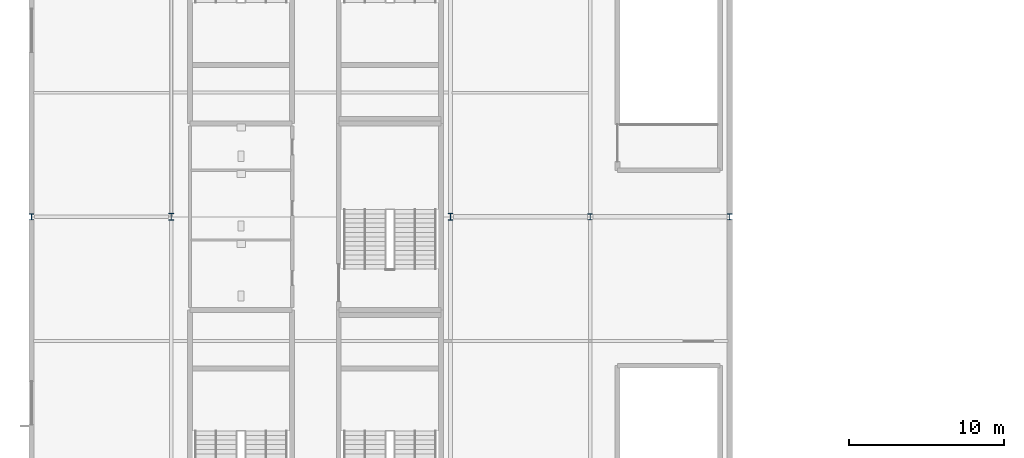
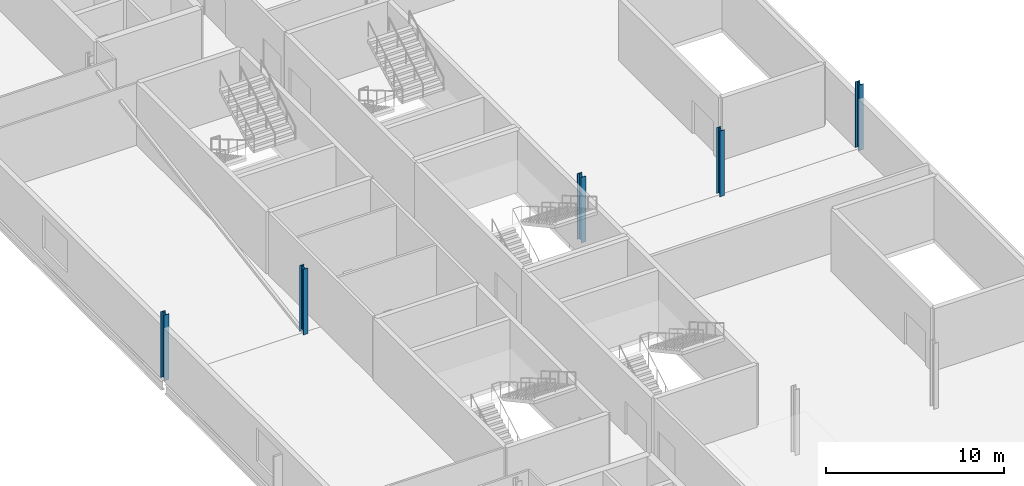
# One storey, part 3 of 73: 5 columns.
"""IFC4 building model written with IfcOpenShell, lengths in metres."""

from ifc_helpers import new_model, si_unit, direction, frame, origin, origin_2d, place, context, subcontext, project, spatial, i_section, extrude, material, material_profile, profile_set, type_object, element, save


model = new_model("IFC4")

# Units and contexts
model_context = context("Model", 3, precision=1e-05, world=origin(), true_north=direction((0.0, 1.0)))
body_context = subcontext(model_context, "Body", "Model", "MODEL_VIEW")
ifc_project = project(units=[si_unit("LENGTHUNIT", "METRE"), si_unit("AREAUNIT", "SQUARE_METRE"), si_unit("VOLUMEUNIT", "CUBIC_METRE"), si_unit("PLANEANGLEUNIT", "RADIAN"), si_unit("MASSUNIT", "GRAM", prefix="KILO")], contexts=[model_context])

# Site, building, storey
site_placement = place(None, origin())
site = spatial("IfcSite", under=ifc_project, at=site_placement, CompositionType="ELEMENT")
building_placement = place(site_placement, origin())
building = spatial("IfcBuilding", under=site, at=building_placement, Name="Kisiwana Market Hall", CompositionType="ELEMENT")
storey_placement = place(building_placement, frame((0.0, 0.0, 33.300048828125)))
storey = spatial("IfcBuildingStorey", under=building, at=storey_placement, Name="L07", CompositionType="ELEMENT", Elevation=33.300048828125)

# Columns
ifc_material_1 = material(Name="Steel S355", Category="steel")
ifc_material_profile_1 = material_profile(ifc_material_1, i_section(OverallWidth=0.300048828125, OverallDepth=0.39990234375, WebThickness=0.013427734375, FlangeThickness=0.02392578125, FilletRadius=0.027099609375, at=origin_2d()), Name="HEB 400")
ifc_profile_set_1 = profile_set([ifc_material_profile_1], Name="Steel S355")
column_type_1 = type_object("IfcColumnType", Name="COL-STL-HEB400", PredefinedType="COLUMN", material=ifc_profile_set_1)
for number, where, z_axis, x_axis, name in (
    (1, (0.0, 60.0, 0.0), (0.0, 0.0, 1.0), (1.0, 0.0, 0.0), "Column H/1 (L07) C-1073"),
    (2, (45.0, 60.0, 0.0), (0.0, 0.0, 1.0), (1.0, 0.0, 0.0), "Column H/6 (L07) C-1100"),
    (3, (36.0, 60.0, 0.0), (0.0, 0.0, 1.0), (1.0, 0.0, 0.0), "Column H/5 (L07) C-1067"),
):
    element("IfcColumn", number, at=place(storey_placement, frame(where, z_axis=z_axis, x_axis=x_axis)), inside=storey, type_object=column_type_1, Name=name, PredefinedType="COLUMN", context=body_context, shape_type="SweptSolid", body=[
        extrude(i_section(OverallWidth=0.300048828125, OverallDepth=0.39990234375, WebThickness=0.013427734375, FlangeThickness=0.02392578125, FilletRadius=0.027099609375, at=origin_2d()), origin(), (0.0, 0.0, 1.0), 4.5),
    ])
ifc_material_2 = material(Name="Steel S355", Category="steel")
ifc_material_profile_2 = material_profile(ifc_material_2, i_section(OverallWidth=0.300048828125, OverallDepth=0.449951171875, WebThickness=0.013916015625, FlangeThickness=0.02587890625, FilletRadius=0.027099609375, at=origin_2d()), Name="HEB 450")
ifc_profile_set_2 = profile_set([ifc_material_profile_2], Name="Steel S355")
column_type_2 = type_object("IfcColumnType", Name="COL-STL-HEB450", PredefinedType="COLUMN", material=ifc_profile_set_2)
for number, where, z_axis, x_axis, name in (
    (4, (27.0, 60.0, 0.0), (0.0, 0.0, 1.0), (1.0, 0.0, 0.0), "Column H/4 (L07) C-1086"),
    (5, (9.0, 60.0, 0.0), (0.0, 0.0, 1.0), (1.0, 0.0, 0.0), "Column H/2 (L07) C-1066"),
):
    element("IfcColumn", number, at=place(storey_placement, frame(where, z_axis=z_axis, x_axis=x_axis)), inside=storey, type_object=column_type_2, Name=name, PredefinedType="COLUMN", context=body_context, shape_type="SweptSolid", body=[
        extrude(i_section(OverallWidth=0.300048828125, OverallDepth=0.449951171875, WebThickness=0.013916015625, FlangeThickness=0.02587890625, FilletRadius=0.027099609375, at=origin_2d()), origin(), (0.0, 0.0, 1.0), 4.5),
    ])

save(model, "model.ifc")
